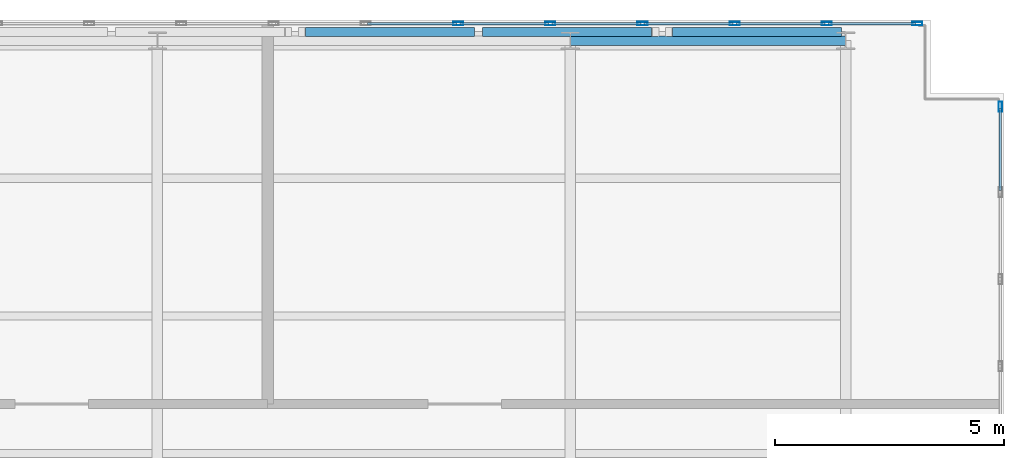
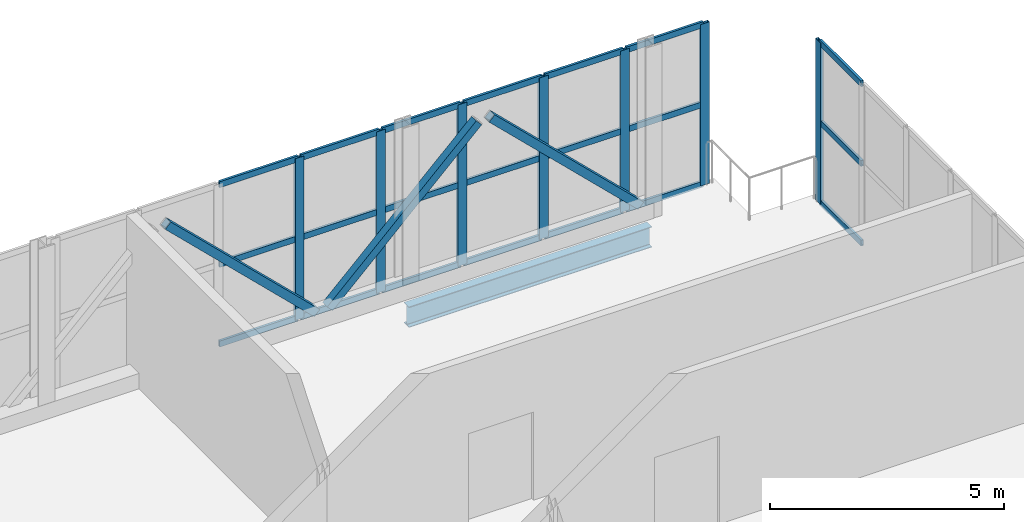
# One storey, part 15 of 21: 31 members, 1 beam, 2 elements without a shape of their own.
"""IFC4 building model written with IfcOpenShell, lengths in metres."""

from ifc_helpers import new_model, si_unit, direction, frame, origin, origin_2d, place, context, subcontext, project, spatial, hollow_rectangle, i_section, extrude, material, layer, layer_set, material_profile, profile_set, type_object, element, aggregate, save


model = new_model("IFC4")

# Units and contexts
model_context = context("Model", 3, precision=1e-05, world=origin(), true_north=direction((0.0, 1.0)))
body_context = subcontext(model_context, "Body", "Model", "MODEL_VIEW")
ifc_project = project(units=[si_unit("LENGTHUNIT", "METRE"), si_unit("AREAUNIT", "SQUARE_METRE"), si_unit("VOLUMEUNIT", "CUBIC_METRE"), si_unit("PLANEANGLEUNIT", "RADIAN"), si_unit("MASSUNIT", "GRAM", prefix="KILO")], contexts=[model_context])

# Site, building, storey
site_placement = place(None, origin())
site = spatial("IfcSite", under=ifc_project, at=site_placement, CompositionType="ELEMENT")
building_placement = place(site_placement, origin())
building = spatial("IfcBuilding", under=site, at=building_placement, Name="Mawjdan Bourse Tower", CompositionType="ELEMENT")
storey_placement = place(building_placement, frame((0.0, 0.0, 313.199951171875)))
storey = spatial("IfcBuildingStorey", under=building, at=storey_placement, Name="L77", CompositionType="ELEMENT", Elevation=313.199951171875)

# Members
ifc_material_1 = material(Name="Structural Steel S355", Category="steel")
ifc_material_profile_1 = material_profile(ifc_material_1, hollow_rectangle(XDim=0.199951171875, YDim=0.199951171875, WallThickness=0.010009765625, at=origin_2d()), Name="HSS200X200X10")
ifc_profile_set_1 = profile_set([ifc_material_profile_1], Name="Structural Steel S355")
member_type_1 = type_object("IfcMemberType", Name="BRC-HSS200X200X10", PredefinedType="BRACE", material=ifc_profile_set_1)
for number, where, z_axis, x_axis, name in (
    (1, (36.159912109375, 21.18994140625, 3.77001953125), (0.717762646976, 0.0, -0.696287859011), (0.0, 1.0, 0.0), "L77 Lantern Crown Braced Frame North Diagonal 4"),
    (2, (40.159912109375, 21.18994140625, 0.199951171875), (0.717762646976, 0.0, 0.696287859011), (0.0, 1.0, 0.0), "L77 Lantern Crown Braced Frame North Diagonal 5"),
    (3, (44.159912109375, 21.18994140625, 3.77001953125), (0.717762646976, 0.0, -0.696287859011), (0.0, 1.0, 0.0), "L77 Lantern Crown Braced Frame North Diagonal 6"),
):
    element("IfcMember", number, at=place(storey_placement, frame(where, z_axis=z_axis, x_axis=x_axis)), inside=storey, type_object=member_type_1, Name=name, PredefinedType="BRACE", context=body_context, shape_type="SweptSolid", body=[
        extrude(hollow_rectangle(XDim=0.199951171875, YDim=0.199951171875, WallThickness=0.010009765625, at=origin_2d()), origin(), (0.0, 0.0, 1.0), 5.127197265625),
    ])

# Curtain wall, member
ifc_material_2 = material(Name="Thermally Broken Aluminium and Solar Glass", Category="aluminium")
ifc_layer = layer(ifc_material_2, 0.219970703125)
ifc_layer_set = layer_set([ifc_layer], Name="Thermally Broken Aluminium and Solar Glass")
curtain_wall_type = type_object("IfcCurtainWallType", Name="CW-CRN", PredefinedType="USERDEFINED", material=ifc_layer_set)
curtain_wall_1_placement = place(storey_placement, origin())
curtain_wall_1 = element("IfcCurtainWall", 4, at=curtain_wall_1_placement, inside=storey, type_object=curtain_wall_type, Name="L77 Lantern Crown East Curtain Wall", ObjectType="LANTERN GLAZED CROWN", PredefinedType="USERDEFINED")
ifc_material_3 = material(Name="Thermally Broken Anodised Aluminium", Category="aluminium")
ifc_material_profile_2 = material_profile(ifc_material_3, hollow_rectangle(XDim=0.074951171875, YDim=0.219970703125, WallThickness=0.0048828125, at=origin_2d()), Name="ALU-MUL-220X75")
ifc_profile_set_2 = profile_set([ifc_material_profile_2], Name="Thermally Broken Anodised Aluminium")
member_type_2 = type_object("IfcMemberType", Name="MUL-ALU-MUL-220X75", PredefinedType="MULLION", material=ifc_profile_set_2)
member_1_placement = place(storey_placement, frame((51.3701171875, 19.5625, 0.0), z_axis=(0.0, 0.0, 1.0), x_axis=(-1.0, 0.0, 0.0)))
member_1 = element("IfcMember", 5, at=member_1_placement, type_object=member_type_2, Name="CW-CRN-L77-CRN-E mullion 9", PredefinedType="MULLION", context=body_context, shape_type="SweptSolid", body=[
    extrude(hollow_rectangle(XDim=0.074951171875, YDim=0.219970703125, WallThickness=0.0048828125, at=origin_2d()), origin(), (0.0, 0.0, 1.0), 4.219970703125),
])

# Curtain wall, members
curtain_wall_2_placement = place(storey_placement, origin())
curtain_wall_2 = element("IfcCurtainWall", 6, at=curtain_wall_2_placement, inside=storey, type_object=curtain_wall_type, Name="L77 Lantern Crown North Curtain Wall", ObjectType="LANTERN GLAZED CROWN", PredefinedType="USERDEFINED")
member_2_placement = place(storey_placement, frame((49.5625, 21.3701171875, 0.0), z_axis=(0.0, 0.0, 1.0), x_axis=(0.0, -1.0, 0.0)))
member_2 = element("IfcMember", 7, at=member_2_placement, type_object=member_type_2, Name="CW-CRN-L77-CRN-N mullion 1", PredefinedType="MULLION", context=body_context, shape_type="SweptSolid", body=[
    extrude(hollow_rectangle(XDim=0.074951171875, YDim=0.219970703125, WallThickness=0.0048828125, at=origin_2d()), origin(), (0.0, 0.0, 1.0), 4.219970703125),
])
member_3_placement = place(storey_placement, frame((47.590576171875, 21.3701171875, 0.0), z_axis=(0.0, 0.0, 1.0), x_axis=(0.0, -1.0, 0.0)))
member_3 = element("IfcMember", 8, at=member_3_placement, type_object=member_type_2, Name="CW-CRN-L77-CRN-N mullion 2", PredefinedType="MULLION", context=body_context, shape_type="SweptSolid", body=[
    extrude(hollow_rectangle(XDim=0.074951171875, YDim=0.219970703125, WallThickness=0.0048828125, at=origin_2d()), origin(), (0.0, 0.0, 1.0), 4.219970703125),
])
member_4_placement = place(storey_placement, frame((45.5810546875, 21.3701171875, 0.0), z_axis=(0.0, 0.0, 1.0), x_axis=(0.0, -1.0, 0.0)))
member_4 = element("IfcMember", 9, at=member_4_placement, type_object=member_type_2, Name="CW-CRN-L77-CRN-N mullion 3", PredefinedType="MULLION", context=body_context, shape_type="SweptSolid", body=[
    extrude(hollow_rectangle(XDim=0.074951171875, YDim=0.219970703125, WallThickness=0.0048828125, at=origin_2d()), origin(), (0.0, 0.0, 1.0), 4.219970703125),
])
member_5_placement = place(storey_placement, frame((43.571533203125, 21.3701171875, 0.0), z_axis=(0.0, 0.0, 1.0), x_axis=(0.0, -1.0, 0.0)))
member_5 = element("IfcMember", 10, at=member_5_placement, type_object=member_type_2, Name="CW-CRN-L77-CRN-N mullion 4", PredefinedType="MULLION", context=body_context, shape_type="SweptSolid", body=[
    extrude(hollow_rectangle(XDim=0.074951171875, YDim=0.219970703125, WallThickness=0.0048828125, at=origin_2d()), origin(), (0.0, 0.0, 1.0), 4.219970703125),
])
member_6_placement = place(storey_placement, frame((41.56201171875, 21.3701171875, 0.0), z_axis=(0.0, 0.0, 1.0), x_axis=(0.0, -1.0, 0.0)))
member_6 = element("IfcMember", 11, at=member_6_placement, type_object=member_type_2, Name="CW-CRN-L77-CRN-N mullion 5", PredefinedType="MULLION", context=body_context, shape_type="SweptSolid", body=[
    extrude(hollow_rectangle(XDim=0.074951171875, YDim=0.219970703125, WallThickness=0.0048828125, at=origin_2d()), origin(), (0.0, 0.0, 1.0), 4.219970703125),
])
member_7_placement = place(storey_placement, frame((39.552490234375, 21.3701171875, 0.0), z_axis=(0.0, 0.0, 1.0), x_axis=(0.0, -1.0, 0.0)))
member_7 = element("IfcMember", 12, at=member_7_placement, type_object=member_type_2, Name="CW-CRN-L77-CRN-N mullion 6", PredefinedType="MULLION", context=body_context, shape_type="SweptSolid", body=[
    extrude(hollow_rectangle(XDim=0.074951171875, YDim=0.219970703125, WallThickness=0.0048828125, at=origin_2d()), origin(), (0.0, 0.0, 1.0), 4.219970703125),
])

# Beam
ifc_material_profile_3 = material_profile(ifc_material_1, i_section(OverallWidth=0.2099609375, OverallDepth=0.537109375, WebThickness=0.010986328125, FlangeThickness=0.017333984375, FilletRadius=0.013916015625, at=origin_2d()), Name="W21X68")
ifc_profile_set_3 = profile_set([ifc_material_profile_3], Name="Structural Steel S355")
beam_type = type_object("IfcBeamType", Name="SPN-W21X68", PredefinedType="SPANDREL", material=ifc_profile_set_3)
beam_placement = place(storey_placement, frame((42.0, 21.0, -0.54833984375), z_axis=(1.0, 0.0, 0.0), x_axis=(0.0, 1.0, 0.0)))
element("IfcBeam", 13, at=beam_placement, inside=storey, type_object=beam_type, Name="L77 Perimeter Masonry-Shelf Spandrel 010", PredefinedType="SPANDREL", context=body_context, shape_type="SweptSolid", body=[
    extrude(i_section(OverallWidth=0.2099609375, OverallDepth=0.537109375, WebThickness=0.010986328125, FlangeThickness=0.017333984375, FilletRadius=0.013916015625, at=origin_2d()), origin(), (0.0, 0.0, 1.0), 6.0),
])

# Member
ifc_material_profile_4 = material_profile(ifc_material_3, hollow_rectangle(XDim=0.06005859375, YDim=0.155029296875, WallThickness=0.00390625, at=origin_2d()), Name="ALU-TRN-155X60")
ifc_profile_set_4 = profile_set([ifc_material_profile_4], Name="Thermally Broken Anodised Aluminium")
member_type_3 = type_object("IfcMemberType", Name="TRN-ALU-TRN-155X60", PredefinedType="USERDEFINED", material=ifc_profile_set_4)
member_8_placement = place(storey_placement, frame((51.3701171875, 17.737548828125, 0.030029296875), z_axis=(0.0, 1.0, 0.0), x_axis=(-1.0, 0.0, 0.0)))
member_8 = element("IfcMember", 14, at=member_8_placement, type_object=member_type_3, Name="CW-CRN-L77-CRN-E transom 8.1", ObjectType="TRANSOM", PredefinedType="USERDEFINED", context=body_context, shape_type="SweptSolid", body=[
    extrude(hollow_rectangle(XDim=0.06005859375, YDim=0.155029296875, WallThickness=0.00390625, at=origin_2d()), origin(), (0.0, 0.0, 1.0), 1.787353515625),
])

member_9_placement = place(storey_placement, frame((51.3701171875, 17.737548828125, 2.110107421875), z_axis=(0.0, 1.0, 0.0), x_axis=(-1.0, 0.0, 0.0)))
member_9 = element("IfcMember", 15, at=member_9_placement, type_object=member_type_3, Name="CW-CRN-L77-CRN-E transom 8.2", ObjectType="TRANSOM", PredefinedType="USERDEFINED", context=body_context, shape_type="SweptSolid", body=[
    extrude(hollow_rectangle(XDim=0.06005859375, YDim=0.155029296875, WallThickness=0.00390625, at=origin_2d()), origin(), (0.0, 0.0, 1.0), 1.787353515625),
])

member_10_placement = place(storey_placement, frame((51.3701171875, 17.737548828125, 4.18994140625), z_axis=(0.0, 1.0, 0.0), x_axis=(-1.0, 0.0, 0.0)))
member_10 = element("IfcMember", 16, at=member_10_placement, type_object=member_type_3, Name="CW-CRN-L77-CRN-E transom 8.3", ObjectType="TRANSOM", PredefinedType="USERDEFINED", context=body_context, shape_type="SweptSolid", body=[
    extrude(hollow_rectangle(XDim=0.06005859375, YDim=0.155029296875, WallThickness=0.00390625, at=origin_2d()), origin(), (0.0, 0.0, 1.0), 1.787353515625),
])

aggregate(curtain_wall_1, [member_1, member_8, member_9, member_10])

member_11_placement = place(storey_placement, frame((49.52490234375, 21.3701171875, 0.030029296875), z_axis=(-1.0, 0.0, 0.0), x_axis=(0.0, -1.0, 0.0)))
member_11 = element("IfcMember", 17, at=member_11_placement, type_object=member_type_3, Name="CW-CRN-L77-CRN-N transom 1.1", ObjectType="TRANSOM", PredefinedType="USERDEFINED", context=body_context, shape_type="SweptSolid", body=[
    extrude(hollow_rectangle(XDim=0.06005859375, YDim=0.155029296875, WallThickness=0.00390625, at=origin_2d()), origin(), (0.0, 0.0, 1.0), 1.89697265625),
])

member_12_placement = place(storey_placement, frame((49.52490234375, 21.3701171875, 2.110107421875), z_axis=(-1.0, 0.0, 0.0), x_axis=(0.0, -1.0, 0.0)))
member_12 = element("IfcMember", 18, at=member_12_placement, type_object=member_type_3, Name="CW-CRN-L77-CRN-N transom 1.2", ObjectType="TRANSOM", PredefinedType="USERDEFINED", context=body_context, shape_type="SweptSolid", body=[
    extrude(hollow_rectangle(XDim=0.06005859375, YDim=0.155029296875, WallThickness=0.00390625, at=origin_2d()), origin(), (0.0, 0.0, 1.0), 1.89697265625),
])

member_13_placement = place(storey_placement, frame((49.52490234375, 21.3701171875, 4.18994140625), z_axis=(-1.0, 0.0, 0.0), x_axis=(0.0, -1.0, 0.0)))
member_13 = element("IfcMember", 19, at=member_13_placement, type_object=member_type_3, Name="CW-CRN-L77-CRN-N transom 1.3", ObjectType="TRANSOM", PredefinedType="USERDEFINED", context=body_context, shape_type="SweptSolid", body=[
    extrude(hollow_rectangle(XDim=0.06005859375, YDim=0.155029296875, WallThickness=0.00390625, at=origin_2d()), origin(), (0.0, 0.0, 1.0), 1.89697265625),
])

member_14_placement = place(storey_placement, frame((47.552978515625, 21.3701171875, 0.030029296875), z_axis=(-1.0, 0.0, 0.0), x_axis=(0.0, -1.0, 0.0)))
member_14 = element("IfcMember", 20, at=member_14_placement, type_object=member_type_3, Name="CW-CRN-L77-CRN-N transom 2.1", ObjectType="TRANSOM", PredefinedType="USERDEFINED", context=body_context, shape_type="SweptSolid", body=[
    extrude(hollow_rectangle(XDim=0.06005859375, YDim=0.155029296875, WallThickness=0.00390625, at=origin_2d()), origin(), (0.0, 0.0, 1.0), 1.9345703125),
])

member_15_placement = place(storey_placement, frame((47.552978515625, 21.3701171875, 2.110107421875), z_axis=(-1.0, 0.0, 0.0), x_axis=(0.0, -1.0, 0.0)))
member_15 = element("IfcMember", 21, at=member_15_placement, type_object=member_type_3, Name="CW-CRN-L77-CRN-N transom 2.2", ObjectType="TRANSOM", PredefinedType="USERDEFINED", context=body_context, shape_type="SweptSolid", body=[
    extrude(hollow_rectangle(XDim=0.06005859375, YDim=0.155029296875, WallThickness=0.00390625, at=origin_2d()), origin(), (0.0, 0.0, 1.0), 1.9345703125),
])

member_16_placement = place(storey_placement, frame((47.552978515625, 21.3701171875, 4.18994140625), z_axis=(-1.0, 0.0, 0.0), x_axis=(0.0, -1.0, 0.0)))
member_16 = element("IfcMember", 22, at=member_16_placement, type_object=member_type_3, Name="CW-CRN-L77-CRN-N transom 2.3", ObjectType="TRANSOM", PredefinedType="USERDEFINED", context=body_context, shape_type="SweptSolid", body=[
    extrude(hollow_rectangle(XDim=0.06005859375, YDim=0.155029296875, WallThickness=0.00390625, at=origin_2d()), origin(), (0.0, 0.0, 1.0), 1.9345703125),
])

member_17_placement = place(storey_placement, frame((45.54345703125, 21.3701171875, 0.030029296875), z_axis=(-1.0, 0.0, 0.0), x_axis=(0.0, -1.0, 0.0)))
member_17 = element("IfcMember", 23, at=member_17_placement, type_object=member_type_3, Name="CW-CRN-L77-CRN-N transom 3.1", ObjectType="TRANSOM", PredefinedType="USERDEFINED", context=body_context, shape_type="SweptSolid", body=[
    extrude(hollow_rectangle(XDim=0.06005859375, YDim=0.155029296875, WallThickness=0.00390625, at=origin_2d()), origin(), (0.0, 0.0, 1.0), 1.9345703125),
])

member_18_placement = place(storey_placement, frame((45.54345703125, 21.3701171875, 2.110107421875), z_axis=(-1.0, 0.0, 0.0), x_axis=(0.0, -1.0, 0.0)))
member_18 = element("IfcMember", 24, at=member_18_placement, type_object=member_type_3, Name="CW-CRN-L77-CRN-N transom 3.2", ObjectType="TRANSOM", PredefinedType="USERDEFINED", context=body_context, shape_type="SweptSolid", body=[
    extrude(hollow_rectangle(XDim=0.06005859375, YDim=0.155029296875, WallThickness=0.00390625, at=origin_2d()), origin(), (0.0, 0.0, 1.0), 1.9345703125),
])

member_19_placement = place(storey_placement, frame((45.54345703125, 21.3701171875, 4.18994140625), z_axis=(-1.0, 0.0, 0.0), x_axis=(0.0, -1.0, 0.0)))
member_19 = element("IfcMember", 25, at=member_19_placement, type_object=member_type_3, Name="CW-CRN-L77-CRN-N transom 3.3", ObjectType="TRANSOM", PredefinedType="USERDEFINED", context=body_context, shape_type="SweptSolid", body=[
    extrude(hollow_rectangle(XDim=0.06005859375, YDim=0.155029296875, WallThickness=0.00390625, at=origin_2d()), origin(), (0.0, 0.0, 1.0), 1.9345703125),
])

member_20_placement = place(storey_placement, frame((43.533935546875, 21.3701171875, 0.030029296875), z_axis=(-1.0, 0.0, 0.0), x_axis=(0.0, -1.0, 0.0)))
member_20 = element("IfcMember", 26, at=member_20_placement, type_object=member_type_3, Name="CW-CRN-L77-CRN-N transom 4.1", ObjectType="TRANSOM", PredefinedType="USERDEFINED", context=body_context, shape_type="SweptSolid", body=[
    extrude(hollow_rectangle(XDim=0.06005859375, YDim=0.155029296875, WallThickness=0.00390625, at=origin_2d()), origin(), (0.0, 0.0, 1.0), 1.9345703125),
])

member_21_placement = place(storey_placement, frame((43.533935546875, 21.3701171875, 2.110107421875), z_axis=(-1.0, 0.0, 0.0), x_axis=(0.0, -1.0, 0.0)))
member_21 = element("IfcMember", 27, at=member_21_placement, type_object=member_type_3, Name="CW-CRN-L77-CRN-N transom 4.2", ObjectType="TRANSOM", PredefinedType="USERDEFINED", context=body_context, shape_type="SweptSolid", body=[
    extrude(hollow_rectangle(XDim=0.06005859375, YDim=0.155029296875, WallThickness=0.00390625, at=origin_2d()), origin(), (0.0, 0.0, 1.0), 1.9345703125),
])

member_22_placement = place(storey_placement, frame((43.533935546875, 21.3701171875, 4.18994140625), z_axis=(-1.0, 0.0, 0.0), x_axis=(0.0, -1.0, 0.0)))
member_22 = element("IfcMember", 28, at=member_22_placement, type_object=member_type_3, Name="CW-CRN-L77-CRN-N transom 4.3", ObjectType="TRANSOM", PredefinedType="USERDEFINED", context=body_context, shape_type="SweptSolid", body=[
    extrude(hollow_rectangle(XDim=0.06005859375, YDim=0.155029296875, WallThickness=0.00390625, at=origin_2d()), origin(), (0.0, 0.0, 1.0), 1.9345703125),
])

member_23_placement = place(storey_placement, frame((41.5244140625, 21.3701171875, 0.030029296875), z_axis=(-1.0, 0.0, 0.0), x_axis=(0.0, -1.0, 0.0)))
member_23 = element("IfcMember", 29, at=member_23_placement, type_object=member_type_3, Name="CW-CRN-L77-CRN-N transom 5.1", ObjectType="TRANSOM", PredefinedType="USERDEFINED", context=body_context, shape_type="SweptSolid", body=[
    extrude(hollow_rectangle(XDim=0.06005859375, YDim=0.155029296875, WallThickness=0.00390625, at=origin_2d()), origin(), (0.0, 0.0, 1.0), 1.9345703125),
])

member_24_placement = place(storey_placement, frame((41.5244140625, 21.3701171875, 2.110107421875), z_axis=(-1.0, 0.0, 0.0), x_axis=(0.0, -1.0, 0.0)))
member_24 = element("IfcMember", 30, at=member_24_placement, type_object=member_type_3, Name="CW-CRN-L77-CRN-N transom 5.2", ObjectType="TRANSOM", PredefinedType="USERDEFINED", context=body_context, shape_type="SweptSolid", body=[
    extrude(hollow_rectangle(XDim=0.06005859375, YDim=0.155029296875, WallThickness=0.00390625, at=origin_2d()), origin(), (0.0, 0.0, 1.0), 1.9345703125),
])

member_25_placement = place(storey_placement, frame((41.5244140625, 21.3701171875, 4.18994140625), z_axis=(-1.0, 0.0, 0.0), x_axis=(0.0, -1.0, 0.0)))
member_25 = element("IfcMember", 31, at=member_25_placement, type_object=member_type_3, Name="CW-CRN-L77-CRN-N transom 5.3", ObjectType="TRANSOM", PredefinedType="USERDEFINED", context=body_context, shape_type="SweptSolid", body=[
    extrude(hollow_rectangle(XDim=0.06005859375, YDim=0.155029296875, WallThickness=0.00390625, at=origin_2d()), origin(), (0.0, 0.0, 1.0), 1.9345703125),
])

member_26_placement = place(storey_placement, frame((39.514892578125, 21.3701171875, 0.030029296875), z_axis=(-1.0, 0.0, 0.0), x_axis=(0.0, -1.0, 0.0)))
member_26 = element("IfcMember", 32, at=member_26_placement, type_object=member_type_3, Name="CW-CRN-L77-CRN-N transom 6.1", ObjectType="TRANSOM", PredefinedType="USERDEFINED", context=body_context, shape_type="SweptSolid", body=[
    extrude(hollow_rectangle(XDim=0.06005859375, YDim=0.155029296875, WallThickness=0.00390625, at=origin_2d()), origin(), (0.0, 0.0, 1.0), 1.9345703125),
])

member_27_placement = place(storey_placement, frame((39.514892578125, 21.3701171875, 2.110107421875), z_axis=(-1.0, 0.0, 0.0), x_axis=(0.0, -1.0, 0.0)))
member_27 = element("IfcMember", 33, at=member_27_placement, type_object=member_type_3, Name="CW-CRN-L77-CRN-N transom 6.2", ObjectType="TRANSOM", PredefinedType="USERDEFINED", context=body_context, shape_type="SweptSolid", body=[
    extrude(hollow_rectangle(XDim=0.06005859375, YDim=0.155029296875, WallThickness=0.00390625, at=origin_2d()), origin(), (0.0, 0.0, 1.0), 1.9345703125),
])

member_28_placement = place(storey_placement, frame((39.514892578125, 21.3701171875, 4.18994140625), z_axis=(-1.0, 0.0, 0.0), x_axis=(0.0, -1.0, 0.0)))
member_28 = element("IfcMember", 34, at=member_28_placement, type_object=member_type_3, Name="CW-CRN-L77-CRN-N transom 6.3", ObjectType="TRANSOM", PredefinedType="USERDEFINED", context=body_context, shape_type="SweptSolid", body=[
    extrude(hollow_rectangle(XDim=0.06005859375, YDim=0.155029296875, WallThickness=0.00390625, at=origin_2d()), origin(), (0.0, 0.0, 1.0), 1.9345703125),
])

aggregate(curtain_wall_2, [member_2, member_3, member_4, member_5, member_6, member_7, member_11, member_12, member_13, member_14, member_15, member_16, member_17, member_18, member_19, member_20, member_21, member_22, member_23, member_24, member_25, member_26, member_27, member_28])

save(model, "model.ifc")
